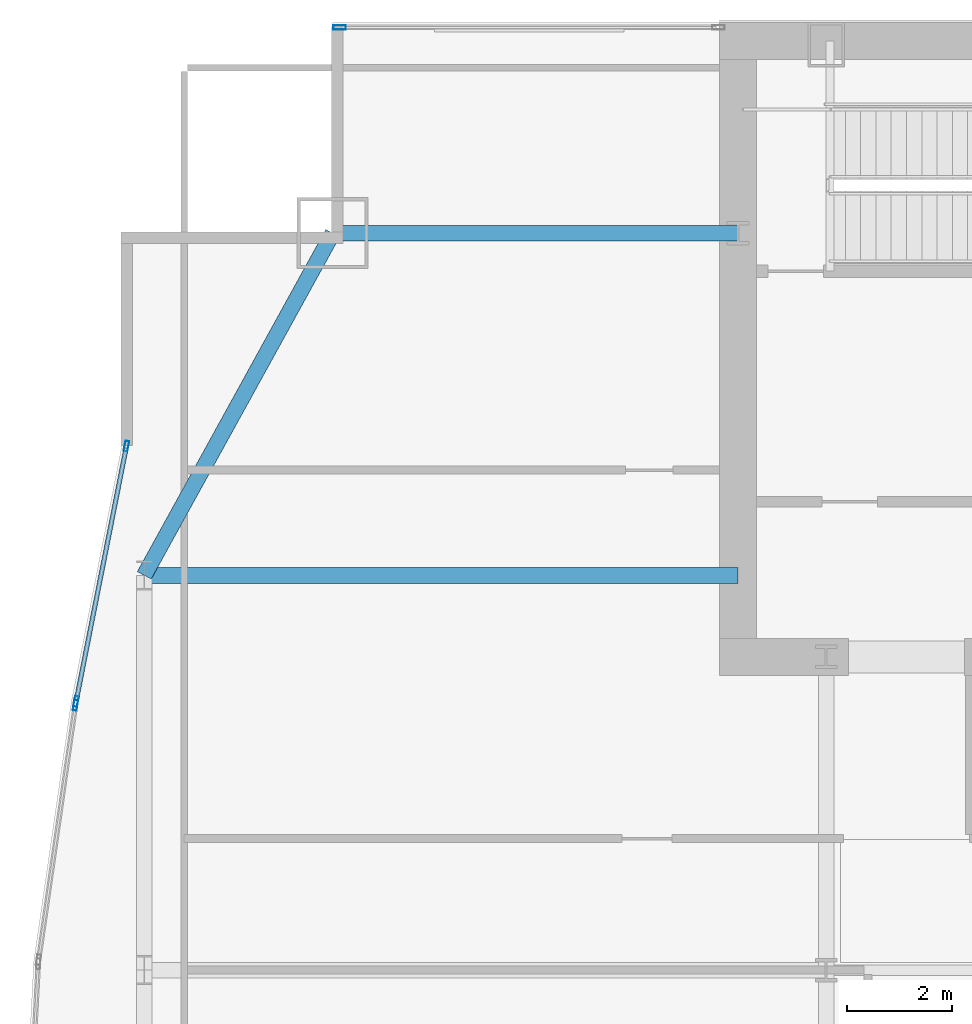
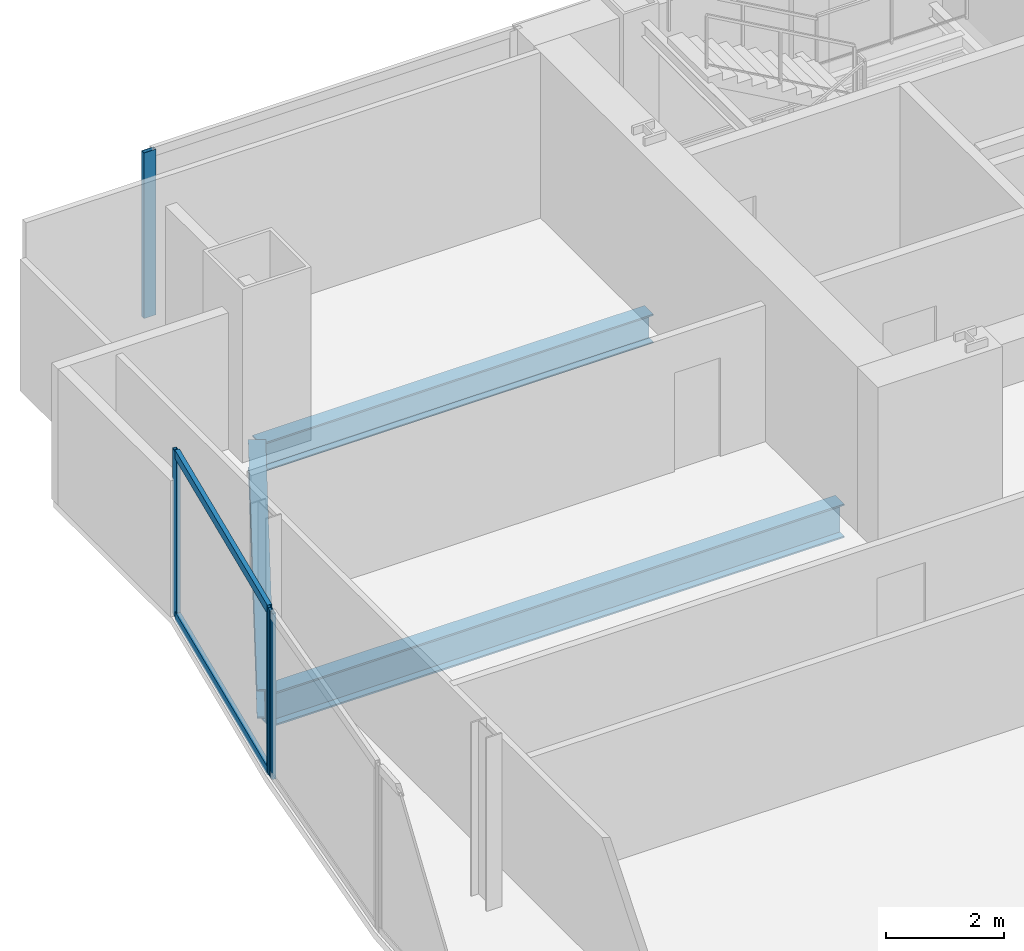
# One storey, part 17 of 29: 6 members, 3 beams, 3 elements without a shape of their own.
"""IFC4 building model written with IfcOpenShell, lengths in metres."""

from ifc_helpers import new_model, si_unit, direction, frame, origin, origin_2d, place, context, subcontext, project, spatial, hollow_rectangle, i_section, extrude, material, material_profile, profile_set, type_object, element, aggregate, save


model = new_model("IFC4")

# Units and contexts
model_context = context("Model", 3, precision=1e-05, world=origin(), true_north=direction((0.0, 1.0)))
body_context = subcontext(model_context, "Body", "Model", "MODEL_VIEW")
ifc_project = project(units=[si_unit("LENGTHUNIT", "METRE"), si_unit("AREAUNIT", "SQUARE_METRE"), si_unit("VOLUMEUNIT", "CUBIC_METRE"), si_unit("PLANEANGLEUNIT", "RADIAN"), si_unit("MASSUNIT", "GRAM", prefix="KILO")], contexts=[model_context])

# Site, building, storey
site_placement = place(None, origin())
site = spatial("IfcSite", under=ifc_project, at=site_placement, CompositionType="ELEMENT")
building_placement = place(site_placement, origin())
building = spatial("IfcBuilding", under=site, at=building_placement, Name="Khoronbel Lancet Exchange", CompositionType="ELEMENT")
storey_placement = place(building_placement, frame((0.0, 0.0, 154.199951171875)))
storey = spatial("IfcBuildingStorey", under=building, at=storey_placement, Name="L38", CompositionType="ELEMENT", Elevation=154.199951171875)

# Beams
ifc_material_1 = material(Name="Steel S355", Category="steel")
ifc_material_profile_1 = material_profile(ifc_material_1, i_section(OverallWidth=0.300048828125, OverallDepth=0.699951171875, WebThickness=0.01708984375, FlangeThickness=0.031982421875, at=origin_2d()), Name="HEB 700")
ifc_profile_set_1 = profile_set([ifc_material_profile_1], Name="Steel S355")
beam_type_1 = type_object("IfcBeamType", Name="BM-BG3", PredefinedType="BEAM", material=ifc_profile_set_1)
beam_1_placement = place(storey_placement, frame((5.27001953125, 43.199951171875, -0.510009765625), z_axis=(1.0, 0.0, 0.0), x_axis=(0.0, 1.0, 0.0)))
element("IfcBeam", 1, at=beam_1_placement, inside=storey, type_object=beam_type_1, Name="Level L38 west lens tie girder LG3W", PredefinedType="BEAM", context=body_context, shape_type="SweptSolid", body=[
    extrude(i_section(OverallWidth=0.300048828125, OverallDepth=0.699951171875, WebThickness=0.01708984375, FlangeThickness=0.031982421875, at=origin_2d()), origin(), (0.0, 0.0, 1.0), 11.280029296875),
])
ifc_material_profile_2 = material_profile(ifc_material_1, i_section(OverallWidth=0.300048828125, OverallDepth=0.60009765625, WebThickness=0.015380859375, FlangeThickness=0.030029296875, at=origin_2d()), Name="HEB 600")
ifc_profile_set_2 = profile_set([ifc_material_profile_2], Name="Steel S355")
beam_type_2 = type_object("IfcBeamType", Name="BM-BSP2", PredefinedType="SPANDREL", material=ifc_profile_set_2)
beam_2_placement = place(storey_placement, frame((8.85009765625, 49.699951171875, -0.4599609375), z_axis=(-0.482444051088, -0.875926787791, 0.0), x_axis=(0.875926787791, -0.482444051088, 0.0)))
element("IfcBeam", 2, at=beam_2_placement, inside=storey, type_object=beam_type_2, Name="Level L38 perimeter spandrel beam SP16", PredefinedType="SPANDREL", context=body_context, shape_type="SweptSolid", body=[
    extrude(i_section(OverallWidth=0.300048828125, OverallDepth=0.60009765625, WebThickness=0.015380859375, FlangeThickness=0.030029296875, at=origin_2d()), origin(), (0.0, 0.0, 1.0), 7.420654296875),
])
beam_3_placement = place(storey_placement, frame((8.85009765625, 49.699951171875, -0.4599609375), z_axis=(1.0, 0.0, 0.0), x_axis=(0.0, 1.0, 0.0)))
element("IfcBeam", 3, at=beam_3_placement, inside=storey, type_object=beam_type_2, Name="Level L38 north flank tie spandrel SP22", PredefinedType="SPANDREL", context=body_context, shape_type="SweptSolid", body=[
    extrude(i_section(OverallWidth=0.300048828125, OverallDepth=0.60009765625, WebThickness=0.015380859375, FlangeThickness=0.030029296875, at=origin_2d()), origin(), (0.0, 0.0, 1.0), 7.699951171875),
])

# Curtain wall, member
ifc_material_2 = material(Name="Low-E Solar Control Insulating Glass", Category="glass")
curtain_wall_type_1 = type_object("IfcCurtainWallType", Name="CW-3", PredefinedType="NOTDEFINED", material=ifc_material_2)
curtain_wall_1_placement = place(storey_placement, origin())
curtain_wall_1 = element("IfcCurtainWall", 4, at=curtain_wall_1_placement, inside=storey, type_object=curtain_wall_type_1, Name="Unitised curtain wall CW-L38-NWFLK", PredefinedType="NOTDEFINED")
ifc_material_3 = material(Name="Bronze-Anodised Aluminium 6063-T6", Category="aluminium")
ifc_material_profile_3 = material_profile(ifc_material_3, hollow_rectangle(XDim=0.0849609375, YDim=0.239990234375, WallThickness=0.006103515625, at=origin_2d()), Name="ALU MULLION 85x240")
ifc_profile_set_3 = profile_set([ifc_material_profile_3], Name="Bronze-Anodised Aluminium 6063-T6")
member_type_1 = type_object("IfcMemberType", Name="MEM-CWM1", PredefinedType="MULLION", material=ifc_profile_set_3)
member_1_placement = place(storey_placement, frame((8.982421875, 53.610107421875, 0.0), z_axis=(0.0, 0.0, 1.0), x_axis=(0.0, -1.0, 0.0)))
member_1 = element("IfcMember", 5, at=member_1_placement, type_object=member_type_1, Name="CW3 mullion 2", PredefinedType="MULLION", context=body_context, shape_type="SweptSolid", body=[
    extrude(hollow_rectangle(XDim=0.0849609375, YDim=0.239990234375, WallThickness=0.006103515625, at=origin_2d()), origin(), (0.0, 0.0, 1.0), 3.43994140625),
])
aggregate(curtain_wall_1, [member_1])

curtain_wall_type_2 = type_object("IfcCurtainWallType", Name="CW-4", PredefinedType="NOTDEFINED", material=ifc_material_2)
curtain_wall_2_placement = place(storey_placement, origin())
curtain_wall_2 = element("IfcCurtainWall", 6, at=curtain_wall_2_placement, inside=storey, type_object=curtain_wall_type_2, Name="Unitised curtain wall CW-L38-E08", PredefinedType="NOTDEFINED")
ifc_material_profile_4 = material_profile(ifc_material_3, hollow_rectangle(XDim=0.074951171875, YDim=0.199951171875, WallThickness=0.0048828125, at=origin_2d()), Name="ALU MULLION 75x200")
ifc_profile_set_4 = profile_set([ifc_material_profile_4], Name="Bronze-Anodised Aluminium 6063-T6")
member_type_2 = type_object("IfcMemberType", Name="MEM-CWM2", PredefinedType="MULLION", material=ifc_profile_set_4)
member_2_placement = place(storey_placement, frame((3.96337890625, 40.73095703125, 0.0), z_axis=(0.0, 0.0, 1.0), x_axis=(-0.989732666103, 0.142930926147, 0.0)))
member_2 = element("IfcMember", 7, at=member_2_placement, type_object=member_type_2, Name="CW4 mullion 2", PredefinedType="MULLION", context=body_context, shape_type="SweptSolid", body=[
    extrude(hollow_rectangle(XDim=0.074951171875, YDim=0.199951171875, WallThickness=0.0048828125, at=origin_2d()), origin(), (0.0, 0.0, 1.0), 3.43994140625),
])
aggregate(curtain_wall_2, [member_2])

# Curtain wall, members
curtain_wall_3_placement = place(storey_placement, origin())
curtain_wall_3 = element("IfcCurtainWall", 8, at=curtain_wall_3_placement, inside=storey, type_object=curtain_wall_type_2, Name="Unitised curtain wall CW-L38-E09", PredefinedType="NOTDEFINED")
member_3_placement = place(storey_placement, frame((3.97607421875, 40.804931640625, 0.0), z_axis=(0.0, 0.0, 1.0), x_axis=(-0.981091608053, 0.193543939735, 0.0)))
member_3 = element("IfcMember", 9, at=member_3_placement, type_object=member_type_2, Name="CW4 mullion 1", PredefinedType="MULLION", context=body_context, shape_type="SweptSolid", body=[
    extrude(hollow_rectangle(XDim=0.074951171875, YDim=0.199951171875, WallThickness=0.0048828125, at=origin_2d()), origin(), (0.0, 0.0, 1.0), 3.43994140625),
])
member_4_placement = place(storey_placement, frame((4.932861328125, 45.654296875, 0.0), z_axis=(0.0, 0.0, 1.0), x_axis=(-0.981091608053, 0.193543939735, 0.0)))
member_4 = element("IfcMember", 10, at=member_4_placement, type_object=member_type_2, Name="CW4 mullion 2", PredefinedType="MULLION", context=body_context, shape_type="SweptSolid", body=[
    extrude(hollow_rectangle(XDim=0.074951171875, YDim=0.199951171875, WallThickness=0.0048828125, at=origin_2d()), origin(), (0.0, 0.0, 1.0), 3.43994140625),
])
ifc_material_profile_5 = material_profile(ifc_material_3, hollow_rectangle(XDim=0.0849609375, YDim=0.179931640625, WallThickness=0.0048828125, at=origin_2d()), Name="ALU TRANSOM 85x180")
ifc_profile_set_5 = profile_set([ifc_material_profile_5], Name="Bronze-Anodised Aluminium 6063-T6")
member_type_3 = type_object("IfcMemberType", Name="MEM-CWT1", PredefinedType="USERDEFINED", material=ifc_profile_set_5)
member_5_placement = place(storey_placement, frame((3.9833984375, 40.841796875, 0.04248046875), z_axis=(0.193540296935, 0.981092326676, 0.0), x_axis=(-0.981092326676, 0.193540296935, 0.0)))
member_5 = element("IfcMember", 11, at=member_5_placement, type_object=member_type_3, Name="CW4 transom 1.1", ObjectType="TRANSOM", PredefinedType="USERDEFINED", context=body_context, shape_type="SweptSolid", body=[
    extrude(hollow_rectangle(XDim=0.0849609375, YDim=0.179931640625, WallThickness=0.0048828125, at=origin_2d()), origin(), (0.0, 0.0, 1.0), 4.867919921875),
])
member_6_placement = place(storey_placement, frame((3.9833984375, 40.841796875, 3.3974609375), z_axis=(0.193540296935, 0.981092326676, 0.0), x_axis=(-0.981092326676, 0.193540296935, 0.0)))
member_6 = element("IfcMember", 12, at=member_6_placement, type_object=member_type_3, Name="CW4 transom 1.2", ObjectType="TRANSOM", PredefinedType="USERDEFINED", context=body_context, shape_type="SweptSolid", body=[
    extrude(hollow_rectangle(XDim=0.0849609375, YDim=0.179931640625, WallThickness=0.0048828125, at=origin_2d()), origin(), (0.0, 0.0, 1.0), 4.867919921875),
])
aggregate(curtain_wall_3, [member_3, member_4, member_5, member_6])

save(model, "model.ifc")
